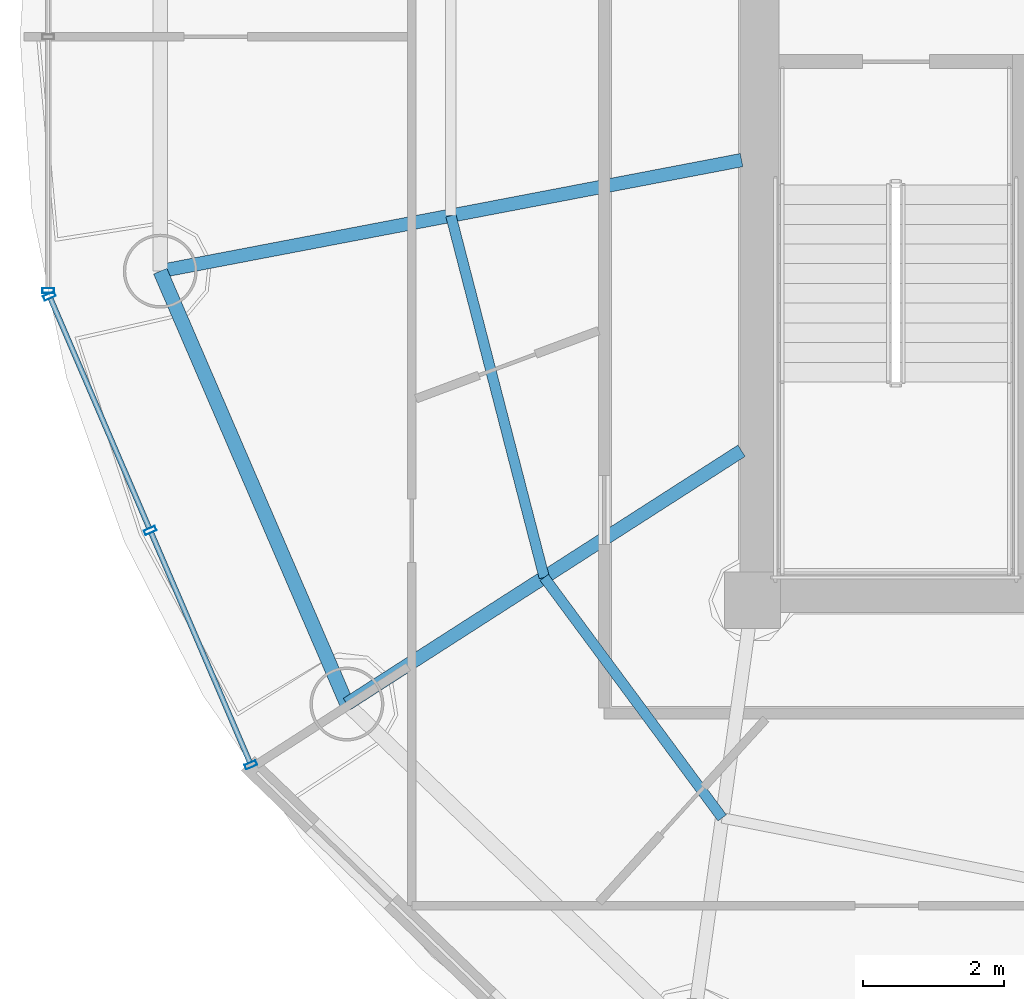
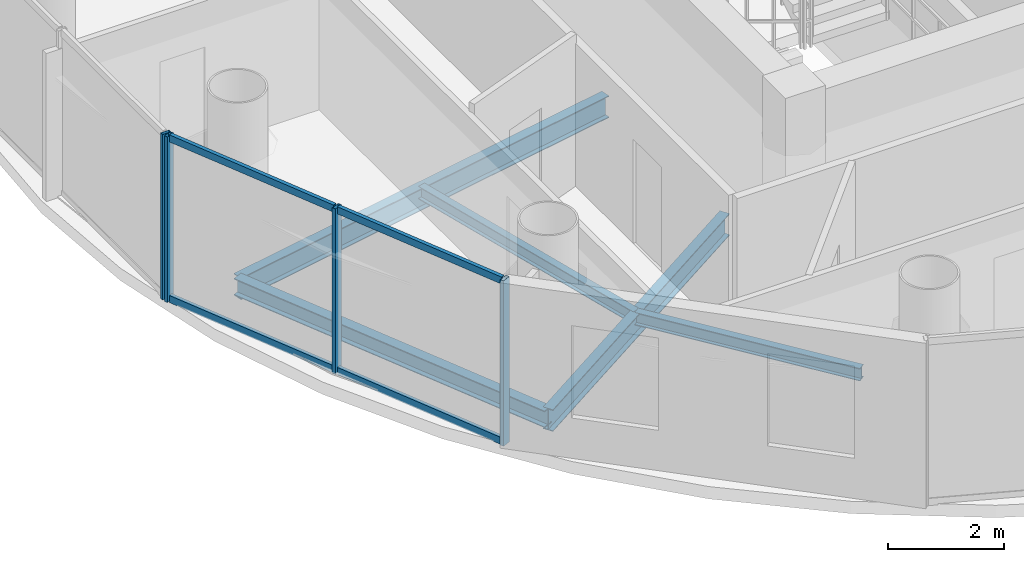
# One storey, part 3 of 21: 8 members, 5 beams, 2 elements without a shape of their own.
"""IFC4 building model written with IfcOpenShell, lengths in metres."""

from ifc_helpers import new_model, si_unit, direction, frame, origin, origin_2d, place, context, subcontext, project, spatial, hollow_rectangle, i_section, extrude, source, transform, mapped, material, material_profile, profile_set, type_object, element, aggregate, save


model = new_model("IFC4")

# Units and contexts
model_context = context("Model", 3, precision=1e-05, world=origin(), true_north=direction((-0.2419218956, 0.970295726276)))
body_context = subcontext(model_context, "Body", "Model", "MODEL_VIEW")
ifc_project = project(units=[si_unit("LENGTHUNIT", "METRE"), si_unit("AREAUNIT", "SQUARE_METRE"), si_unit("VOLUMEUNIT", "CUBIC_METRE"), si_unit("PLANEANGLEUNIT", "RADIAN"), si_unit("MASSUNIT", "GRAM", prefix="KILO")], contexts=[model_context])

# Site, building, storey
site_placement = place(None, origin())
site = spatial("IfcSite", under=ifc_project, at=site_placement, CompositionType="ELEMENT")
building_placement = place(site_placement, origin())
building = spatial("IfcBuilding", under=site, at=building_placement, Name="Cobrevalo Terracotta Tower", CompositionType="ELEMENT")
storey_placement = place(building_placement, frame((0.0, 0.0, 285.699951171875)))
storey = spatial("IfcBuildingStorey", under=building, at=storey_placement, Name="L75", CompositionType="ELEMENT", Elevation=285.699951171875)

# Beams
ifc_material_1 = material(Name="Steel S355", Category="steel")
ifc_material_profile_1 = material_profile(ifc_material_1, i_section(OverallWidth=0.19091796875, OverallDepth=0.4599609375, WebThickness=0.010009765625, FlangeThickness=0.01611328125, at=origin_2d()), Name="W 460x82")
ifc_profile_set_1 = profile_set([ifc_material_profile_1], Name="Steel S355")
beam_type_1 = type_object("IfcBeamType", Name="Structural Beam W 460x82 (Steel S355)", PredefinedType="BEAM", material=ifc_profile_set_1)
beam_1_placement = place(storey_placement, frame((20.591064453125, 23.4736328125, -0.489990234375), z_axis=(0.982229562106, 0.187683476432, 0.0), x_axis=(-0.187683476432, 0.982229562106, 0.0)))
element("IfcBeam", 1, at=beam_1_placement, inside=storey, type_object=beam_type_1, Name="L75 radial floor girder 09", PredefinedType="BEAM", context=body_context, shape_type="SweptSolid", body=[
    extrude(i_section(OverallWidth=0.19091796875, OverallDepth=0.4599609375, WebThickness=0.010009765625, FlangeThickness=0.01611328125, at=origin_2d()), origin(), (0.0, 0.0, 1.0), 8.4033203125),
])
beam_2_placement = place(storey_placement, frame((23.241455078125, 17.32763671875, -0.489990234375), z_axis=(0.84157615512, 0.540138477739, 0.0), x_axis=(-0.540138477739, 0.84157615512, 0.0)))
element("IfcBeam", 2, at=beam_2_placement, inside=storey, type_object=beam_type_1, Name="L75 radial floor girder 10", PredefinedType="BEAM", context=body_context, shape_type="SweptSolid", body=[
    extrude(i_section(OverallWidth=0.19091796875, OverallDepth=0.4599609375, WebThickness=0.010009765625, FlangeThickness=0.01611328125, at=origin_2d()), origin(), (0.0, 0.0, 1.0), 6.658447265625),
])
ifc_material_profile_2 = material_profile(ifc_material_1, i_section(OverallWidth=0.14794921875, OverallDepth=0.26611328125, WebThickness=0.007568359375, FlangeThickness=0.012939453125, at=origin_2d()), Name="W 250x44.8")
ifc_profile_set_2 = profile_set([ifc_material_profile_2], Name="Steel S355")
beam_type_2 = type_object("IfcBeamType", Name="Structural Joist W 250x44.8 (Steel S355)", PredefinedType="JOIST", material=ifc_profile_set_2)
beam_3_placement = place(storey_placement, frame((24.718017578125, 24.26220703125, -0.39306640625), z_axis=(0.249816773293, -0.968293126993, 0.0), x_axis=(0.968293126993, 0.249816773293, 0.0)))
element("IfcBeam", 3, at=beam_3_placement, inside=storey, type_object=beam_type_2, Name="L75 circumferential secondary floor joist 09", PredefinedType="JOIST", context=body_context, shape_type="SweptSolid", body=[
    extrude(i_section(OverallWidth=0.14794921875, OverallDepth=0.26611328125, WebThickness=0.007568359375, FlangeThickness=0.012939453125, at=origin_2d()), origin(), (0.0, 0.0, 1.0), 5.3046875),
])
beam_4_placement = place(storey_placement, frame((26.043212890625, 19.125732421875, -0.39306640625), z_axis=(0.594799916617, -0.803873783123, 0.0), x_axis=(0.803873783123, 0.594799916617, 0.0)))
element("IfcBeam", 4, at=beam_4_placement, inside=storey, type_object=beam_type_2, Name="L75 circumferential secondary floor joist 10", PredefinedType="JOIST", context=body_context, shape_type="SweptSolid", body=[
    extrude(i_section(OverallWidth=0.14794921875, OverallDepth=0.26611328125, WebThickness=0.007568359375, FlangeThickness=0.012939453125, at=origin_2d()), origin(), (0.0, 0.0, 1.0), 4.2470703125),
])
ifc_material_profile_3 = material_profile(ifc_material_1, i_section(OverallWidth=0.205078125, OverallDepth=0.35400390625, WebThickness=0.009521484375, FlangeThickness=0.016845703125, at=origin_2d()), Name="W 360x79")
ifc_profile_set_3 = profile_set([ifc_material_profile_3], Name="Steel S355")
beam_type_3 = type_object("IfcBeamType", Name="Structural Spandrel W 360x79 (Steel S355)", PredefinedType="SPANDREL", material=ifc_profile_set_3)
beam_5_placement = place(storey_placement, frame((20.591064453125, 23.4736328125, -0.43701171875), z_axis=(0.395987390706, -0.918255948198, 0.0), x_axis=(0.918255948198, 0.395987390706, 0.0)))
element("IfcBeam", 5, at=beam_5_placement, inside=storey, type_object=beam_type_3, Name="L75 perimeter ring spandrel 09", PredefinedType="SPANDREL", context=body_context, shape_type="SweptSolid", body=[
    extrude(i_section(OverallWidth=0.205078125, OverallDepth=0.35400390625, WebThickness=0.009521484375, FlangeThickness=0.016845703125, at=origin_2d()), origin(), (0.0, 0.0, 1.0), 6.693115234375),
])

# Curtain wall, member
ifc_material_2 = material(Name="Anodized aluminium", Category="aluminium")
curtain_wall_type = type_object("IfcCurtainWallType", Name="Upper-tower triple-glazed penthouse curtain wall CW-U3", PredefinedType="NOTDEFINED", material=ifc_material_2)
curtain_wall_1_placement = place(storey_placement, origin())
curtain_wall_1 = element("IfcCurtainWall", 6, at=curtain_wall_1_placement, inside=storey, type_object=curtain_wall_type, Name="L75 curtain wall CW-L75-S08", PredefinedType="NOTDEFINED")
ifc_material_profile_4 = material_profile(ifc_material_2, hollow_rectangle(XDim=0.070068359375, YDim=0.169921875, WallThickness=0.00439453125, at=origin_2d()), Name="CWM 70x170")
ifc_profile_set_4 = profile_set([ifc_material_profile_4], Name="Anodized aluminium")
member_type_1 = type_object("IfcMemberType", Name="Upper tower unitised mullion 70x170", PredefinedType="MULLION", material=ifc_profile_set_4)
shared_shape_1 = source(origin(), body_context, "Body", "SweptSolid", [
    extrude(hollow_rectangle(XDim=0.070068359375, YDim=0.169921875, WallThickness=0.00439453125, at=origin_2d()), origin(), (0.0, 0.0, 1.0), 3.489990234375),
])
member_1_placement = place(storey_placement, frame((19.002197265625, 23.19775390625, 0.0), z_axis=(0.0, 0.0, 1.0), x_axis=(0.0, -1.0, 0.0)))
member_1 = element("IfcMember", 7, at=member_1_placement, type_object=member_type_1, Name="CW-L75-S08 vertical mullion 03", PredefinedType="MULLION", context=body_context, shape_type="MappedRepresentation", body=[
    mapped(shared_shape_1, transform((0.0, 0.0, 0.0), scale=1.0)),
])
aggregate(curtain_wall_1, [member_1])

# Curtain wall, members
curtain_wall_2_placement = place(storey_placement, origin())
curtain_wall_2 = element("IfcCurtainWall", 8, at=curtain_wall_2_placement, inside=storey, type_object=curtain_wall_type, Name="L75 curtain wall CW-L75-S09", PredefinedType="NOTDEFINED")
member_2_placement = place(storey_placement, frame((19.01806640625, 23.120849609375, 0.0), z_axis=(0.0, 0.0, 1.0), x_axis=(0.39482403454, -0.91875675875, 0.0)))
member_2 = element("IfcMember", 9, at=member_2_placement, type_object=member_type_1, Name="CW-L75-S09 vertical mullion 01", PredefinedType="MULLION", context=body_context, shape_type="MappedRepresentation", body=[
    mapped(shared_shape_1, transform((0.0, 0.0, 0.0), scale=1.0)),
])
member_3_placement = place(storey_placement, frame((20.4482421875, 19.79248046875, 0.0), z_axis=(0.0, 0.0, 1.0), x_axis=(0.39482403454, -0.91875675875, 0.0)))
member_3 = element("IfcMember", 10, at=member_3_placement, type_object=member_type_1, Name="CW-L75-S09 vertical mullion 02", PredefinedType="MULLION", context=body_context, shape_type="MappedRepresentation", body=[
    mapped(shared_shape_1, transform((0.0, 0.0, 0.0), scale=1.0)),
])
member_4_placement = place(storey_placement, frame((21.878662109375, 16.46435546875, 0.0), z_axis=(0.0, 0.0, 1.0), x_axis=(0.39482403454, -0.91875675875, 0.0)))
member_4 = element("IfcMember", 11, at=member_4_placement, type_object=member_type_1, Name="CW-L75-S09 vertical mullion 03", PredefinedType="MULLION", context=body_context, shape_type="MappedRepresentation", body=[
    mapped(shared_shape_1, transform((0.0, 0.0, 0.0), scale=1.0)),
])
ifc_material_profile_5 = material_profile(ifc_material_2, hollow_rectangle(XDim=0.074951171875, YDim=0.14990234375, WallThickness=0.00439453125, at=origin_2d()), Name="CWT 75x150")
ifc_profile_set_5 = profile_set([ifc_material_profile_5], Name="Anodized aluminium")
member_type_2 = type_object("IfcMemberType", Name="Tower unitised aluminium transom 75x150", PredefinedType="USERDEFINED", material=ifc_profile_set_5)
shared_shape_2 = source(origin(), body_context, "Body", "SweptSolid", [
    extrude(hollow_rectangle(XDim=0.074951171875, YDim=0.14990234375, WallThickness=0.00439453125, at=origin_2d()), origin(), (0.0, 0.0, 1.0), 3.542724609375),
])
member_5_placement = place(storey_placement, frame((19.03369140625, 23.084228515625, 0.050048828125), z_axis=(0.394867226589, -0.918738196314, 0.0), x_axis=(0.918738196314, 0.394867226589, 0.0)))
member_5 = element("IfcMember", 12, at=member_5_placement, type_object=member_type_2, Name="CW-L75-S09 transom B01-T1", ObjectType="TRANSOM", PredefinedType="USERDEFINED", context=body_context, shape_type="MappedRepresentation", body=[
    mapped(shared_shape_2, transform((0.0, 0.0, 0.0), scale=1.0)),
])
member_6_placement = place(storey_placement, frame((19.03369140625, 23.084228515625, 3.43994140625), z_axis=(0.394867226589, -0.918738196314, 0.0), x_axis=(0.918738196314, 0.394867226589, 0.0)))
member_6 = element("IfcMember", 13, at=member_6_placement, type_object=member_type_2, Name="CW-L75-S09 transom B01-T2", ObjectType="TRANSOM", PredefinedType="USERDEFINED", context=body_context, shape_type="MappedRepresentation", body=[
    mapped(shared_shape_2, transform((0.0, 0.0, 0.0), scale=1.0)),
])
member_7_placement = place(storey_placement, frame((20.464111328125, 19.755859375, 0.050048828125), z_axis=(0.394809056766, -0.918763195114, 0.0), x_axis=(0.918763195114, 0.394809056766, 0.0)))
member_7 = element("IfcMember", 14, at=member_7_placement, type_object=member_type_2, Name="CW-L75-S09 transom B02-T1", ObjectType="TRANSOM", PredefinedType="USERDEFINED", context=body_context, shape_type="MappedRepresentation", body=[
    mapped(shared_shape_2, transform((0.0, 0.0, 0.0), scale=1.0)),
])
member_8_placement = place(storey_placement, frame((20.464111328125, 19.755859375, 3.43994140625), z_axis=(0.394809056766, -0.918763195114, 0.0), x_axis=(0.918763195114, 0.394809056766, 0.0)))
member_8 = element("IfcMember", 15, at=member_8_placement, type_object=member_type_2, Name="CW-L75-S09 transom B02-T2", ObjectType="TRANSOM", PredefinedType="USERDEFINED", context=body_context, shape_type="MappedRepresentation", body=[
    mapped(shared_shape_2, transform((0.0, 0.0, 0.0), scale=1.0)),
])
aggregate(curtain_wall_2, [member_2, member_3, member_4, member_5, member_6, member_7, member_8])

save(model, "model.ifc")
